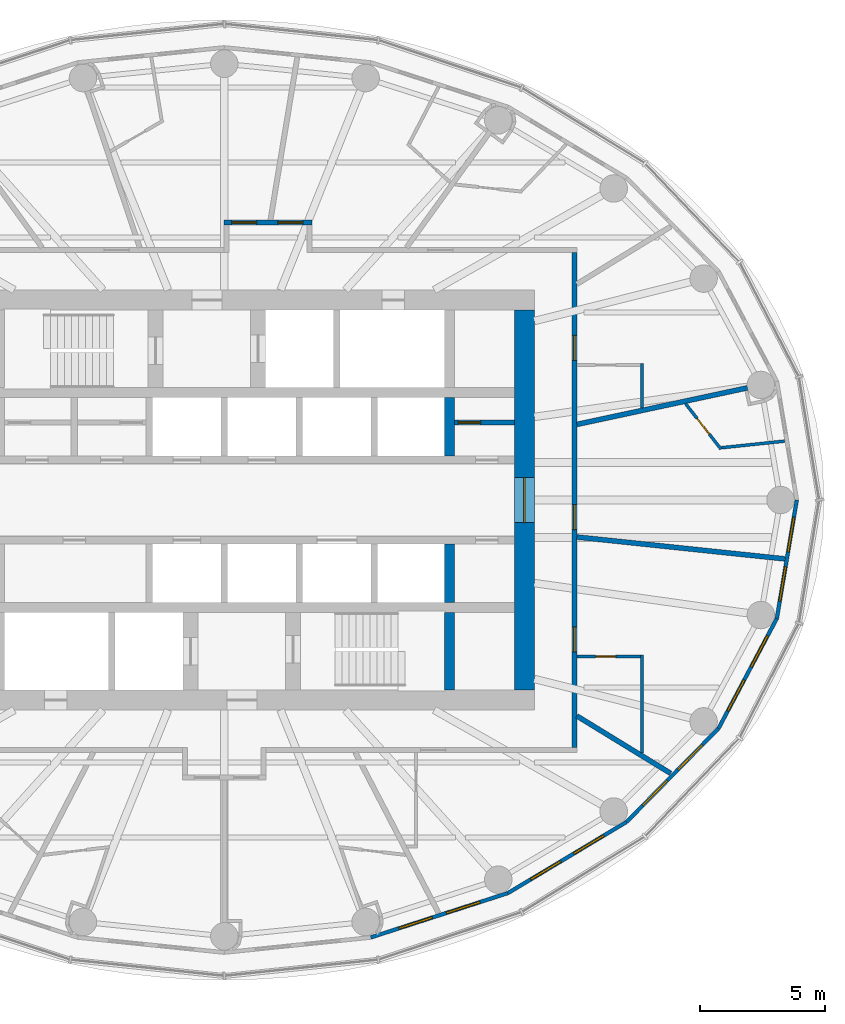
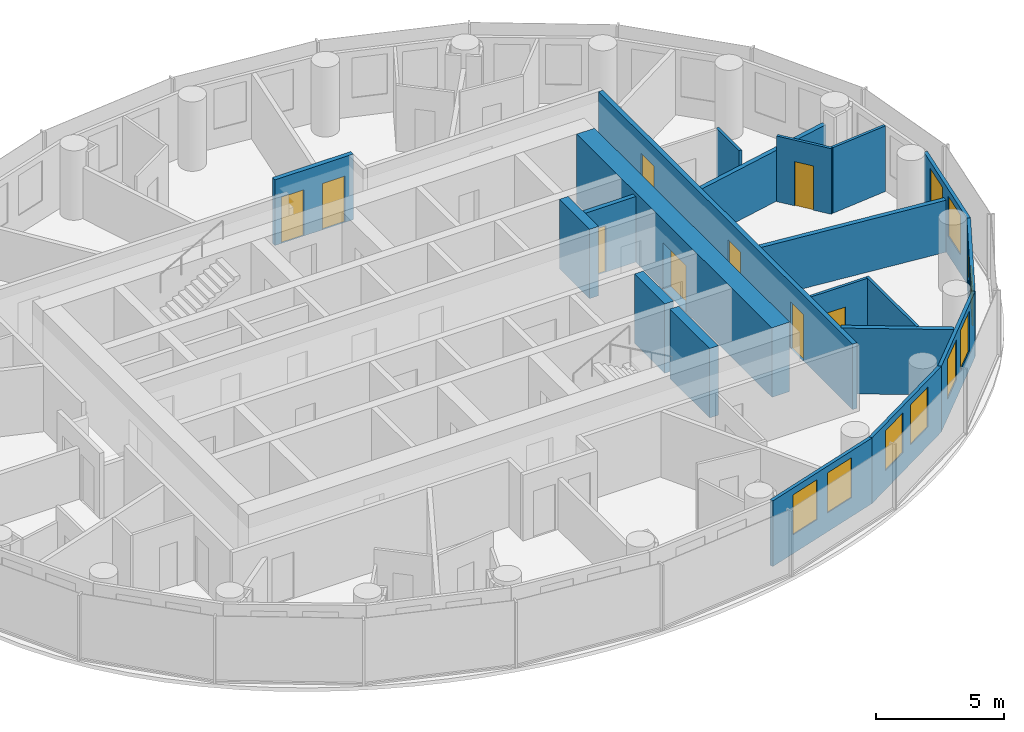
# One storey, part 10 of 13: 20 walls, 10 windows, 9 doors, 19 openings.
"""IFC4 building model written with IfcOpenShell, lengths in metres."""

from ifc_helpers import new_model, si_unit, direction, frame, frame_2d, origin, place, context, subcontext, project, spatial, rectangle, extrude, material, layer, layer_set, type_object, element, fill, save


model = new_model("IFC4")

# Units and contexts
model_context = context("Model", 3, precision=1e-05, world=origin(), true_north=direction((0.0, 1.0)))
body_context = subcontext(model_context, "Body", "Model", "MODEL_VIEW")
ifc_project = project(units=[si_unit("LENGTHUNIT", "METRE"), si_unit("AREAUNIT", "SQUARE_METRE"), si_unit("VOLUMEUNIT", "CUBIC_METRE"), si_unit("PLANEANGLEUNIT", "RADIAN"), si_unit("MASSUNIT", "GRAM", prefix="KILO")], contexts=[model_context])

# Site, building, storey
site_placement = place(None, origin())
site = spatial("IfcSite", under=ifc_project, at=site_placement, CompositionType="ELEMENT")
building_placement = place(site_placement, origin())
building = spatial("IfcBuilding", under=site, at=building_placement, Name="Hankou Lantern Tower", CompositionType="ELEMENT")
storey_placement = place(building_placement, frame((0.0, 0.0, 163.199951171875)))
storey = spatial("IfcBuildingStorey", under=building, at=storey_placement, Name="L43", CompositionType="ELEMENT", Elevation=163.199951171875)

# Wall, opening, door
ifc_material_1 = material(Name="Concrete C60", Category="concrete")
ifc_layer_1 = layer(ifc_material_1, 0.800048828125)
ifc_layer_set_1 = layer_set([ifc_layer_1], Name="Concrete C60")
wall_type_1 = type_object("IfcWallType", Name="CW2 CORE WALL 800", PredefinedType="SHEAR", material=ifc_layer_set_1)
wall_1_placement = place(storey_placement, frame((12.0, -7.60009765625, 0.0), z_axis=(0.0, 0.0, 1.0), x_axis=(0.0, 1.0, 0.0)))
wall_1 = element("IfcWall", 1, at=wall_1_placement, inside=storey, type_object=wall_type_1, Name="Core wall east L43", PredefinedType="SHEAR", context=body_context, shape_type="SweptSolid", body=[
    extrude(rectangle(XDim=15.2001953125, YDim=0.800048828125, at=frame_2d((7.60009765625, 0.0))), origin(), (0.0, 0.0, 1.0), 3.300048828125),
])
opening_1_placement = place(wall_1_placement, frame((6.699951171875, 0.0, 0.0)))
opening_1 = element("IfcOpeningElement", 2, at=opening_1_placement, cuts=wall_1, Name="Opening D6", PredefinedType="OPENING", context=body_context, shape_type="SweptSolid", body=[
    extrude(rectangle(XDim=1.800048828125, YDim=2.199951171875, at=frame_2d((0.89990234375, 1.10009765625))), frame((0.0, 0.409912109375, 0.0), z_axis=(0.0, -1.0, 0.0), x_axis=(1.0, 0.0, 0.0)), (0.0, 0.0, 1.0), 0.820068359375),
])
ifc_material_2 = material(Name="Steel door leaf", Category="steel")
door_type_1 = type_object("IfcDoorType", Name="D6 LIFT LOBBY DOOR 1800X2200", OperationType="DOUBLE_DOOR_DOUBLE_SWING", PredefinedType="DOOR", material=ifc_material_2)
door_1_placement = place(opening_1_placement, origin())
door_1 = element("IfcDoor", 3, at=door_1_placement, inside=storey, type_object=door_type_1, Name="Lift lobby east door", OperationType="DOUBLE_DOOR_DOUBLE_SWING", OverallHeight=2.199951171875, OverallWidth=1.800048828125, PredefinedType="DOOR", context=body_context, shape_type="SweptSolid", body=[
    extrude(rectangle(XDim=1.800048828125, YDim=2.199951171875, at=frame_2d((0.89990234375, 1.10009765625))), frame((0.0, 0.02490234375, 0.0), z_axis=(0.0, -1.0, 0.0), x_axis=(1.0, 0.0, 0.0)), (0.0, 0.0, 1.0), 0.050048828125),
])
fill(opening_1, door_1)

# Walls
ifc_material_3 = material(Name="Concrete C60", Category="concrete")
ifc_layer_2 = layer(ifc_material_3, 0.39990234375)
ifc_layer_set_2 = layer_set([ifc_layer_2], Name="Concrete C60")
wall_type_2 = type_object("IfcWallType", Name="CW4 CORE CROSS WALL 400", PredefinedType="SHEAR", material=ifc_layer_set_2)
for number, where, z_axis, x_axis, name in (
    (4, (9.0, 1.75, 0.0), (0.0, 0.0, 1.0), (0.0, 1.0, 0.0), "Core strip wall L43"),
    (5, (9.0, -4.10009765625, 0.0), (0.0, 0.0, 1.0), (0.0, 1.0, 0.0), "Core strip wall L43"),
):
    element("IfcWall", number, at=place(storey_placement, frame(where, z_axis=z_axis, x_axis=x_axis)), inside=storey, type_object=wall_type_2, Name=name, PredefinedType="SHEAR", context=body_context, shape_type="SweptSolid", body=[
        extrude(rectangle(XDim=2.35009765625, YDim=0.39990234375, at=frame_2d((1.175048828125, 0.0))), origin(), (0.0, 0.0, 1.0), 3.300048828125),
    ])
wall_2_placement = place(storey_placement, frame((9.0, -7.60009765625, 0.0), z_axis=(0.0, 0.0, 1.0), x_axis=(0.0, 1.0, 0.0)))
element("IfcWall", 6, at=wall_2_placement, inside=storey, type_object=wall_type_2, Name="Core strip wall L43", PredefinedType="SHEAR", context=body_context, shape_type="SweptSolid", body=[
    extrude(rectangle(XDim=3.10009765625, YDim=0.39990234375, at=frame_2d((1.550048828125, 0.0))), origin(), (0.0, 0.0, 1.0), 3.300048828125),
])

# Wall, openings, windows
ifc_material_4 = material(Name="Aluminium spandrel panel on steel studs", Category="steel")
ifc_layer_3 = layer(ifc_material_4, 0.14990234375)
ifc_layer_set_3 = layer_set([ifc_layer_3], Name="Aluminium spandrel panel on steel studs")
wall_type_3 = type_object("IfcWallType", Name="EW1 INNER SKIN WALL 150", PredefinedType="ELEMENTEDWALL", material=ifc_layer_set_3)
wall_3_placement = place(storey_placement, frame((5.8603515625, -17.497314453125, 0.0), z_axis=(0.0, 0.0, 1.0), x_axis=(0.951432482129, 0.307857486429, 0.0)))
wall_3 = element("IfcWall", 7, at=wall_3_placement, inside=storey, type_object=wall_type_3, Name="Inner skin R20-R21 L43", PredefinedType="ELEMENTEDWALL", context=body_context, shape_type="SweptSolid", body=[
    extrude(rectangle(XDim=5.76611328125, YDim=0.14990234375, at=frame_2d((2.883056640625, 0.0))), origin(), (0.0, 0.0, 1.0), 3.1201171875),
])
opening_2_placement = place(wall_3_placement, frame((1.18310546875, 0.0, 0.89990234375)))
opening_2 = element("IfcOpeningElement", 8, at=opening_2_placement, cuts=wall_3, Name="Opening W3", PredefinedType="OPENING", context=body_context, shape_type="SweptSolid", body=[
    extrude(rectangle(XDim=1.39990234375, YDim=1.89990234375, at=frame_2d((0.699951171875, 0.949951171875))), frame((0.0, 0.0849609375, 0.0), z_axis=(0.0, -1.0, 0.0), x_axis=(1.0, 0.0, 0.0)), (0.0, 0.0, 1.0), 0.169921875),
])
opening_3_placement = place(wall_3_placement, frame((3.18310546875, 0.0, 0.89990234375)))
opening_3 = element("IfcOpeningElement", 9, at=opening_3_placement, cuts=wall_3, Name="Opening W3", PredefinedType="OPENING", context=body_context, shape_type="SweptSolid", body=[
    extrude(rectangle(XDim=1.39990234375, YDim=1.89990234375, at=frame_2d((0.699951171875, 0.949951171875))), frame((0.0, 0.0849609375, 0.0), z_axis=(0.0, -1.0, 0.0), x_axis=(1.0, 0.0, 0.0)), (0.0, 0.0, 1.0), 0.169921875),
])
ifc_material_5 = material(Name="Aluminium framed double glazed window", Category="aluminium")
window_type = type_object("IfcWindowType", Name="W3 GUEST ROOM WINDOW 1400X1900", PartitioningType="DOUBLE_PANEL_VERTICAL", PredefinedType="WINDOW", material=ifc_material_5)
window_1_placement = place(opening_2_placement, origin())
window_1 = element("IfcWindow", 10, at=window_1_placement, inside=storey, type_object=window_type, Name="Window R20.1 L43", OverallHeight=1.89990234375, OverallWidth=1.39990234375, PartitioningType="SINGLE_PANEL", PredefinedType="WINDOW", context=body_context, shape_type="SweptSolid", body=[
    extrude(rectangle(XDim=1.39990234375, YDim=1.89990234375, at=frame_2d((0.699951171875, 0.949951171875))), frame((0.0, 0.030029296875, 0.0), z_axis=(0.0, -1.0, 0.0), x_axis=(1.0, 0.0, 0.0)), (0.0, 0.0, 1.0), 0.06005859375),
])
fill(opening_2, window_1)
window_2_placement = place(opening_3_placement, origin())
window_2 = element("IfcWindow", 11, at=window_2_placement, inside=storey, type_object=window_type, Name="Window R20.2 L43", OverallHeight=1.89990234375, OverallWidth=1.39990234375, PartitioningType="SINGLE_PANEL", PredefinedType="WINDOW", context=body_context, shape_type="SweptSolid", body=[
    extrude(rectangle(XDim=1.39990234375, YDim=1.89990234375, at=frame_2d((0.699951171875, 0.949951171875))), frame((0.0, 0.030029296875, 0.0), z_axis=(0.0, -1.0, 0.0), x_axis=(1.0, 0.0, 0.0)), (0.0, 0.0, 1.0), 0.06005859375),
])
fill(opening_3, window_2)

wall_4_placement = place(storey_placement, frame((11.346435546875, -15.72216796875, 0.0), z_axis=(0.0, 0.0, 1.0), x_axis=(0.857695199231, 0.514158482587, 0.0)))
wall_4 = element("IfcWall", 12, at=wall_4_placement, inside=storey, type_object=wall_type_3, Name="Inner skin R21-R22 L43", PredefinedType="ELEMENTEDWALL", context=body_context, shape_type="SweptSolid", body=[
    extrude(rectangle(XDim=5.5361328125, YDim=0.14990234375, at=frame_2d((2.76806640625, 0.0))), origin(), (0.0, 0.0, 1.0), 3.1201171875),
])
opening_4_placement = place(wall_4_placement, frame((1.068115234375, 0.0, 0.89990234375)))
opening_4 = element("IfcOpeningElement", 13, at=opening_4_placement, cuts=wall_4, Name="Opening W3", PredefinedType="OPENING", context=body_context, shape_type="SweptSolid", body=[
    extrude(rectangle(XDim=1.39990234375, YDim=1.89990234375, at=frame_2d((0.699951171875, 0.949951171875))), frame((0.0, 0.0849609375, 0.0), z_axis=(0.0, -1.0, 0.0), x_axis=(1.0, 0.0, 0.0)), (0.0, 0.0, 1.0), 0.169921875),
])
opening_5_placement = place(wall_4_placement, frame((3.068115234375, 0.0, 0.89990234375)))
opening_5 = element("IfcOpeningElement", 14, at=opening_5_placement, cuts=wall_4, Name="Opening W3", PredefinedType="OPENING", context=body_context, shape_type="SweptSolid", body=[
    extrude(rectangle(XDim=1.39990234375, YDim=1.89990234375, at=frame_2d((0.699951171875, 0.949951171875))), frame((0.0, 0.0849609375, 0.0), z_axis=(0.0, -1.0, 0.0), x_axis=(1.0, 0.0, 0.0)), (0.0, 0.0, 1.0), 0.169921875),
])
window_3_placement = place(opening_4_placement, origin())
window_3 = element("IfcWindow", 15, at=window_3_placement, inside=storey, type_object=window_type, Name="Window R21.1 L43", OverallHeight=1.89990234375, OverallWidth=1.39990234375, PartitioningType="SINGLE_PANEL", PredefinedType="WINDOW", context=body_context, shape_type="SweptSolid", body=[
    extrude(rectangle(XDim=1.39990234375, YDim=1.89990234375, at=frame_2d((0.699951171875, 0.949951171875))), frame((0.0, 0.030029296875, 0.0), z_axis=(0.0, -1.0, 0.0), x_axis=(1.0, 0.0, 0.0)), (0.0, 0.0, 1.0), 0.06005859375),
])
fill(opening_4, window_3)
window_4_placement = place(opening_5_placement, origin())
window_4 = element("IfcWindow", 16, at=window_4_placement, inside=storey, type_object=window_type, Name="Window R21.2 L43", OverallHeight=1.89990234375, OverallWidth=1.39990234375, PartitioningType="SINGLE_PANEL", PredefinedType="WINDOW", context=body_context, shape_type="SweptSolid", body=[
    extrude(rectangle(XDim=1.39990234375, YDim=1.89990234375, at=frame_2d((0.699951171875, 0.949951171875))), frame((0.0, 0.030029296875, 0.0), z_axis=(0.0, -1.0, 0.0), x_axis=(1.0, 0.0, 0.0)), (0.0, 0.0, 1.0), 0.06005859375),
])
fill(opening_5, window_4)

wall_5_placement = place(storey_placement, frame((16.0947265625, -12.875732421875, 0.0), z_axis=(0.0, 0.0, 1.0), x_axis=(0.700727467776, 0.71342905457, 0.0)))
wall_5 = element("IfcWall", 17, at=wall_5_placement, inside=storey, type_object=wall_type_3, Name="Inner skin R22-R23 L43", PredefinedType="ELEMENTEDWALL", context=body_context, shape_type="SweptSolid", body=[
    extrude(rectangle(XDim=5.247314453125, YDim=0.14990234375, at=frame_2d((2.62353515625, 0.0))), origin(), (0.0, 0.0, 1.0), 3.1201171875),
])
opening_6_placement = place(wall_5_placement, frame((0.923583984375, 0.0, 0.89990234375)))
opening_6 = element("IfcOpeningElement", 18, at=opening_6_placement, cuts=wall_5, Name="Opening W3", PredefinedType="OPENING", context=body_context, shape_type="SweptSolid", body=[
    extrude(rectangle(XDim=1.39990234375, YDim=1.89990234375, at=frame_2d((0.699951171875, 0.949951171875))), frame((0.0, 0.0849609375, 0.0), z_axis=(0.0, -1.0, 0.0), x_axis=(1.0, 0.0, 0.0)), (0.0, 0.0, 1.0), 0.169921875),
])
opening_7_placement = place(wall_5_placement, frame((2.923583984375, 0.0, 0.89990234375)))
opening_7 = element("IfcOpeningElement", 19, at=opening_7_placement, cuts=wall_5, Name="Opening W3", PredefinedType="OPENING", context=body_context, shape_type="SweptSolid", body=[
    extrude(rectangle(XDim=1.39990234375, YDim=1.89990234375, at=frame_2d((0.699951171875, 0.949951171875))), frame((0.0, 0.0849609375, 0.0), z_axis=(0.0, -1.0, 0.0), x_axis=(1.0, 0.0, 0.0)), (0.0, 0.0, 1.0), 0.169921875),
])
window_5_placement = place(opening_6_placement, origin())
window_5 = element("IfcWindow", 20, at=window_5_placement, inside=storey, type_object=window_type, Name="Window R22.1 L43", OverallHeight=1.89990234375, OverallWidth=1.39990234375, PartitioningType="SINGLE_PANEL", PredefinedType="WINDOW", context=body_context, shape_type="SweptSolid", body=[
    extrude(rectangle(XDim=1.39990234375, YDim=1.89990234375, at=frame_2d((0.699951171875, 0.949951171875))), frame((0.0, 0.030029296875, 0.0), z_axis=(0.0, -1.0, 0.0), x_axis=(1.0, 0.0, 0.0)), (0.0, 0.0, 1.0), 0.06005859375),
])
fill(opening_6, window_5)
window_6_placement = place(opening_7_placement, origin())
window_6 = element("IfcWindow", 21, at=window_6_placement, inside=storey, type_object=window_type, Name="Window R22.2 L43", OverallHeight=1.89990234375, OverallWidth=1.39990234375, PartitioningType="SINGLE_PANEL", PredefinedType="WINDOW", context=body_context, shape_type="SweptSolid", body=[
    extrude(rectangle(XDim=1.39990234375, YDim=1.89990234375, at=frame_2d((0.699951171875, 0.949951171875))), frame((0.0, 0.030029296875, 0.0), z_axis=(0.0, -1.0, 0.0), x_axis=(1.0, 0.0, 0.0)), (0.0, 0.0, 1.0), 0.06005859375),
])
fill(opening_7, window_6)

wall_6_placement = place(storey_placement, frame((19.771728515625, -9.132080078125, 0.0), z_axis=(0.0, 0.0, 1.0), x_axis=(0.468428906714, 0.883501193748, 0.0)))
wall_6 = element("IfcWall", 22, at=wall_6_placement, inside=storey, type_object=wall_type_3, Name="Inner skin R23-R24 L43", PredefinedType="ELEMENTEDWALL", context=body_context, shape_type="SweptSolid", body=[
    extrude(rectangle(XDim=4.9736328125, YDim=0.14990234375, at=frame_2d((2.48681640625, 0.0))), origin(), (0.0, 0.0, 1.0), 3.1201171875),
])
opening_8_placement = place(wall_6_placement, frame((0.786865234375, 0.0, 0.89990234375)))
opening_8 = element("IfcOpeningElement", 23, at=opening_8_placement, cuts=wall_6, Name="Opening W3", PredefinedType="OPENING", context=body_context, shape_type="SweptSolid", body=[
    extrude(rectangle(XDim=1.39990234375, YDim=1.89990234375, at=frame_2d((0.699951171875, 0.949951171875))), frame((0.0, 0.0849609375, 0.0), z_axis=(0.0, -1.0, 0.0), x_axis=(1.0, 0.0, 0.0)), (0.0, 0.0, 1.0), 0.169921875),
])
opening_9_placement = place(wall_6_placement, frame((2.786865234375, 0.0, 0.89990234375)))
opening_9 = element("IfcOpeningElement", 24, at=opening_9_placement, cuts=wall_6, Name="Opening W3", PredefinedType="OPENING", context=body_context, shape_type="SweptSolid", body=[
    extrude(rectangle(XDim=1.39990234375, YDim=1.89990234375, at=frame_2d((0.699951171875, 0.949951171875))), frame((0.0, 0.0849609375, 0.0), z_axis=(0.0, -1.0, 0.0), x_axis=(1.0, 0.0, 0.0)), (0.0, 0.0, 1.0), 0.169921875),
])
window_7_placement = place(opening_8_placement, origin())
window_7 = element("IfcWindow", 25, at=window_7_placement, inside=storey, type_object=window_type, Name="Window R23.1 L43", OverallHeight=1.89990234375, OverallWidth=1.39990234375, PartitioningType="SINGLE_PANEL", PredefinedType="WINDOW", context=body_context, shape_type="SweptSolid", body=[
    extrude(rectangle(XDim=1.39990234375, YDim=1.89990234375, at=frame_2d((0.699951171875, 0.949951171875))), frame((0.0, 0.030029296875, 0.0), z_axis=(0.0, -1.0, 0.0), x_axis=(1.0, 0.0, 0.0)), (0.0, 0.0, 1.0), 0.06005859375),
])
fill(opening_8, window_7)
window_8_placement = place(opening_9_placement, origin())
window_8 = element("IfcWindow", 26, at=window_8_placement, inside=storey, type_object=window_type, Name="Window R23.2 L43", OverallHeight=1.89990234375, OverallWidth=1.39990234375, PartitioningType="SINGLE_PANEL", PredefinedType="WINDOW", context=body_context, shape_type="SweptSolid", body=[
    extrude(rectangle(XDim=1.39990234375, YDim=1.89990234375, at=frame_2d((0.699951171875, 0.949951171875))), frame((0.0, 0.030029296875, 0.0), z_axis=(0.0, -1.0, 0.0), x_axis=(1.0, 0.0, 0.0)), (0.0, 0.0, 1.0), 0.06005859375),
])
fill(opening_9, window_8)

wall_7_placement = place(storey_placement, frame((22.1015625, -4.73779296875, 0.0), z_axis=(0.0, 0.0, 1.0), x_axis=(0.166162111254, 0.986098449843, 0.0)))
wall_7 = element("IfcWall", 27, at=wall_7_placement, inside=storey, type_object=wall_type_3, Name="Inner skin R24-R01 L43", PredefinedType="ELEMENTEDWALL", context=body_context, shape_type="SweptSolid", body=[
    extrude(rectangle(XDim=4.8046875, YDim=0.14990234375, at=frame_2d((2.40234375, 0.0))), origin(), (0.0, 0.0, 1.0), 3.1201171875),
])
opening_10_placement = place(wall_7_placement, frame((0.7021484375, 0.0, 0.89990234375)))
opening_10 = element("IfcOpeningElement", 28, at=opening_10_placement, cuts=wall_7, Name="Opening W3", PredefinedType="OPENING", context=body_context, shape_type="SweptSolid", body=[
    extrude(rectangle(XDim=1.39990234375, YDim=1.89990234375, at=frame_2d((0.699951171875, 0.949951171875))), frame((0.0, 0.0849609375, 0.0), z_axis=(0.0, -1.0, 0.0), x_axis=(1.0, 0.0, 0.0)), (0.0, 0.0, 1.0), 0.169921875),
])
opening_11_placement = place(wall_7_placement, frame((2.7021484375, 0.0, 0.89990234375)))
opening_11 = element("IfcOpeningElement", 29, at=opening_11_placement, cuts=wall_7, Name="Opening W3", PredefinedType="OPENING", context=body_context, shape_type="SweptSolid", body=[
    extrude(rectangle(XDim=1.39990234375, YDim=1.89990234375, at=frame_2d((0.699951171875, 0.949951171875))), frame((0.0, 0.0849609375, 0.0), z_axis=(0.0, -1.0, 0.0), x_axis=(1.0, 0.0, 0.0)), (0.0, 0.0, 1.0), 0.169921875),
])
window_9_placement = place(opening_10_placement, origin())
window_9 = element("IfcWindow", 30, at=window_9_placement, inside=storey, type_object=window_type, Name="Window R24.1 L43", OverallHeight=1.89990234375, OverallWidth=1.39990234375, PartitioningType="SINGLE_PANEL", PredefinedType="WINDOW", context=body_context, shape_type="SweptSolid", body=[
    extrude(rectangle(XDim=1.39990234375, YDim=1.89990234375, at=frame_2d((0.699951171875, 0.949951171875))), frame((0.0, 0.030029296875, 0.0), z_axis=(0.0, -1.0, 0.0), x_axis=(1.0, 0.0, 0.0)), (0.0, 0.0, 1.0), 0.06005859375),
])
fill(opening_10, window_9)
window_10_placement = place(opening_11_placement, origin())
window_10 = element("IfcWindow", 31, at=window_10_placement, inside=storey, type_object=window_type, Name="Window R24.2 L43", OverallHeight=1.89990234375, OverallWidth=1.39990234375, PartitioningType="SINGLE_PANEL", PredefinedType="WINDOW", context=body_context, shape_type="SweptSolid", body=[
    extrude(rectangle(XDim=1.39990234375, YDim=1.89990234375, at=frame_2d((0.699951171875, 0.949951171875))), frame((0.0, 0.030029296875, 0.0), z_axis=(0.0, -1.0, 0.0), x_axis=(1.0, 0.0, 0.0)), (0.0, 0.0, 1.0), 0.06005859375),
])
fill(opening_11, window_10)

# Walls
ifc_material_6 = material(Name="Masonry lightweight concrete block", Category="masonry")
ifc_layer_4 = layer(ifc_material_6, 0.199951171875)
ifc_layer_set_4 = layer_set([ifc_layer_4], Name="Masonry lightweight concrete block")
wall_type_4 = type_object("IfcWallType", Name="IW1 GUEST ROOM PARTY WALL 200", PredefinedType="PARTITIONING", material=ifc_layer_set_4)
wall_8_placement = place(storey_placement, frame((14.10009765625, 3.0224609375, 0.0), z_axis=(0.0, 0.0, 1.0), x_axis=(0.977790639684, 0.209584028367, 0.0)))
element("IfcWall", 32, at=wall_8_placement, inside=storey, type_object=wall_type_4, Name="Party wall R02", PredefinedType="PARTITIONING", context=body_context, shape_type="SweptSolid", body=[
    extrude(rectangle(XDim=6.97998046875, YDim=0.199951171875, at=frame_2d((3.489990234375, 0.0))), origin(), (0.0, 0.0, 1.0), 2.420166015625),
])
wall_9_placement = place(storey_placement, frame((14.10009765625, -8.63623046875, 0.0), z_axis=(0.0, 0.0, 1.0), x_axis=(0.852731884196, -0.522348862041, 0.0)))
element("IfcWall", 33, at=wall_9_placement, inside=storey, type_object=wall_type_4, Name="Party wall R22-R23", PredefinedType="PARTITIONING", context=body_context, shape_type="SweptSolid", body=[
    extrude(rectangle(XDim=4.404296875, YDim=0.199951171875, at=frame_2d((2.2021484375, 0.0))), origin(), (0.0, 0.0, 1.0), 3.1201171875),
])
wall_10_placement = place(storey_placement, frame((14.10009765625, -1.4814453125, 0.0), z_axis=(0.0, 0.0, 1.0), x_axis=(0.994524794819, -0.104500873159, 0.0)))
element("IfcWall", 34, at=wall_10_placement, inside=storey, type_object=wall_type_4, Name="Party wall R24-R01", PredefinedType="PARTITIONING", context=body_context, shape_type="SweptSolid", body=[
    extrude(rectangle(XDim=8.361572265625, YDim=0.199951171875, at=frame_2d((4.1806640625, 0.0))), origin(), (0.0, 0.0, 1.0), 2.469970703125),
])

# Wall, openings, doors
ifc_material_7 = material(Name="Masonry lightweight concrete block", Category="masonry")
ifc_layer_5 = layer(ifc_material_7, 0.199951171875)
ifc_layer_set_5 = layer_set([ifc_layer_5], Name="Masonry lightweight concrete block")
wall_type_5 = type_object("IfcWallType", Name="IW2 CORRIDOR WALL 200", PredefinedType="PARTITIONING", material=ifc_layer_set_5)
wall_11_placement = place(storey_placement, frame((14.0, -9.89990234375, 0.0), z_axis=(0.0, 0.0, 1.0), x_axis=(0.0, 1.0, 0.0)))
wall_11 = element("IfcWall", 35, at=wall_11_placement, inside=storey, type_object=wall_type_5, Name="Corridor wall east", PredefinedType="PARTITIONING", context=body_context, shape_type="SweptSolid", body=[
    extrude(rectangle(XDim=19.7998046875, YDim=0.199951171875, at=frame_2d((9.89990234375, 0.0))), origin(), (0.0, 0.0, 1.0), 3.1201171875),
])
opening_12_placement = place(wall_11_placement, frame((3.82373046875, 0.0, 0.0)))
opening_12 = element("IfcOpeningElement", 36, at=opening_12_placement, cuts=wall_11, Name="Opening D2", PredefinedType="OPENING", context=body_context, shape_type="SweptSolid", body=[
    extrude(rectangle(XDim=1.0, YDim=2.199951171875, at=frame_2d((0.5, 1.10009765625))), frame((0.0, 0.10986328125, 0.0), z_axis=(0.0, -1.0, 0.0), x_axis=(1.0, 0.0, 0.0)), (0.0, 0.0, 1.0), 0.219970703125),
])
opening_13_placement = place(wall_11_placement, frame((8.718505859375, 0.0, 0.0)))
opening_13 = element("IfcOpeningElement", 37, at=opening_13_placement, cuts=wall_11, Name="Opening D1", PredefinedType="OPENING", context=body_context, shape_type="SweptSolid", body=[
    extrude(rectangle(XDim=1.0, YDim=2.199951171875, at=frame_2d((0.5, 1.10009765625))), frame((0.0, 0.10986328125, 0.0), z_axis=(0.0, -1.0, 0.0), x_axis=(1.0, 0.0, 0.0)), (0.0, 0.0, 1.0), 0.219970703125),
])
opening_14_placement = place(wall_11_placement, frame((15.482421875, 0.0, 0.0)))
opening_14 = element("IfcOpeningElement", 38, at=opening_14_placement, cuts=wall_11, Name="Opening D1", PredefinedType="OPENING", context=body_context, shape_type="SweptSolid", body=[
    extrude(rectangle(XDim=1.0, YDim=2.199951171875, at=frame_2d((0.5, 1.10009765625))), frame((0.0, 0.10986328125, 0.0), z_axis=(0.0, -1.0, 0.0), x_axis=(1.0, 0.0, 0.0)), (0.0, 0.0, 1.0), 0.219970703125),
])
ifc_material_8 = material(Name="Steel door leaf", Category="steel")
door_type_2 = type_object("IfcDoorType", Name="D1 GUEST ROOM DOOR 1000X2200", OperationType="SINGLE_SWING_LEFT", PredefinedType="DOOR", material=ifc_material_8)
door_2_placement = place(opening_13_placement, origin())
door_2 = element("IfcDoor", 39, at=door_2_placement, inside=storey, type_object=door_type_2, Name="Guest room door 4311", OperationType="SINGLE_SWING_LEFT", OverallHeight=2.199951171875, OverallWidth=1.0, PredefinedType="DOOR", context=body_context, shape_type="SweptSolid", body=[
    extrude(rectangle(XDim=1.0, YDim=2.199951171875, at=frame_2d((0.5, 1.10009765625))), frame((0.0, 0.02490234375, 0.0), z_axis=(0.0, -1.0, 0.0), x_axis=(1.0, 0.0, 0.0)), (0.0, 0.0, 1.0), 0.050048828125),
])
fill(opening_13, door_2)
door_3_placement = place(opening_14_placement, origin())
door_3 = element("IfcDoor", 40, at=door_3_placement, inside=storey, type_object=door_type_2, Name="Guest room door 4312", OperationType="SINGLE_SWING_RIGHT", OverallHeight=2.199951171875, OverallWidth=1.0, PredefinedType="DOOR", context=body_context, shape_type="SweptSolid", body=[
    extrude(rectangle(XDim=1.0, YDim=2.199951171875, at=frame_2d((0.5, 1.10009765625))), frame((0.0, 0.02490234375, 0.0), z_axis=(0.0, -1.0, 0.0), x_axis=(1.0, 0.0, 0.0)), (0.0, 0.0, 1.0), 0.050048828125),
])
fill(opening_14, door_3)
ifc_material_9 = material(Name="Steel door leaf", Category="steel")
door_type_3 = type_object("IfcDoorType", Name="D2 SUITE DOOR 1000X2200", OperationType="SINGLE_SWING_LEFT", PredefinedType="DOOR", material=ifc_material_9)
door_4_placement = place(opening_12_placement, origin())
door_4 = element("IfcDoor", 41, at=door_4_placement, inside=storey, type_object=door_type_3, Name="Suite door 4310", OperationType="SINGLE_SWING_LEFT", OverallHeight=2.199951171875, OverallWidth=1.0, PredefinedType="DOOR", context=body_context, shape_type="SweptSolid", body=[
    extrude(rectangle(XDim=1.0, YDim=2.199951171875, at=frame_2d((0.5, 1.10009765625))), frame((0.0, 0.02490234375, 0.0), z_axis=(0.0, -1.0, 0.0), x_axis=(1.0, 0.0, 0.0)), (0.0, 0.0, 1.0), 0.050048828125),
])
fill(opening_12, door_4)

wall_12_placement = place(storey_placement, frame((-0.005859375, 11.10009765625, 0.0), z_axis=(0.0, 0.0, 1.0), x_axis=(1.0, 0.0, 0.0)))
wall_12 = element("IfcWall", 42, at=wall_12_placement, inside=storey, type_object=wall_type_5, Name="Corridor alcove wall 4314-4315 back", PredefinedType="PARTITIONING", context=body_context, shape_type="SweptSolid", body=[
    extrude(rectangle(XDim=3.52392578125, YDim=0.199951171875, at=frame_2d((1.761962890625, 0.0))), origin(), (0.0, 0.0, 1.0), 3.1201171875),
])
opening_15_placement = place(wall_12_placement, frame((2.14501953125, 0.0, 0.0)))
opening_15 = element("IfcOpeningElement", 43, at=opening_15_placement, cuts=wall_12, Name="Opening D1", PredefinedType="OPENING", context=body_context, shape_type="SweptSolid", body=[
    extrude(rectangle(XDim=1.0, YDim=2.199951171875, at=frame_2d((0.5, 1.10009765625))), frame((0.0, 0.10986328125, 0.0), z_axis=(0.0, -1.0, 0.0), x_axis=(1.0, 0.0, 0.0)), (0.0, 0.0, 1.0), 0.219970703125),
])
opening_16_placement = place(wall_12_placement, frame((0.300048828125, 0.0, 0.0)))
opening_16 = element("IfcOpeningElement", 44, at=opening_16_placement, cuts=wall_12, Name="Opening D1", PredefinedType="OPENING", context=body_context, shape_type="SweptSolid", body=[
    extrude(rectangle(XDim=1.0, YDim=2.199951171875, at=frame_2d((0.5, 1.10009765625))), frame((0.0, 0.10986328125, 0.0), z_axis=(0.0, -1.0, 0.0), x_axis=(1.0, 0.0, 0.0)), (0.0, 0.0, 1.0), 0.219970703125),
])
door_5_placement = place(opening_15_placement, origin())
door_5 = element("IfcDoor", 45, at=door_5_placement, inside=storey, type_object=door_type_2, Name="Guest room door 4314", OperationType="SINGLE_SWING_LEFT", OverallHeight=2.199951171875, OverallWidth=1.0, PredefinedType="DOOR", context=body_context, shape_type="SweptSolid", body=[
    extrude(rectangle(XDim=1.0, YDim=2.199951171875, at=frame_2d((0.5, 1.10009765625))), frame((0.0, 0.02490234375, 0.0), z_axis=(0.0, -1.0, 0.0), x_axis=(1.0, 0.0, 0.0)), (0.0, 0.0, 1.0), 0.050048828125),
])
fill(opening_15, door_5)
door_6_placement = place(opening_16_placement, origin())
door_6 = element("IfcDoor", 46, at=door_6_placement, inside=storey, type_object=door_type_2, Name="Guest room door 4315", OperationType="SINGLE_SWING_RIGHT", OverallHeight=2.199951171875, OverallWidth=1.0, PredefinedType="DOOR", context=body_context, shape_type="SweptSolid", body=[
    extrude(rectangle(XDim=1.0, YDim=2.199951171875, at=frame_2d((0.5, 1.10009765625))), frame((0.0, 0.02490234375, 0.0), z_axis=(0.0, -1.0, 0.0), x_axis=(1.0, 0.0, 0.0)), (0.0, 0.0, 1.0), 0.050048828125),
])
fill(opening_16, door_6)

# Wall
ifc_material_10 = material(Name="Masonry lightweight concrete block", Category="masonry")
ifc_layer_6 = layer(ifc_material_10, 0.1201171875)
ifc_layer_set_6 = layer_set([ifc_layer_6], Name="Masonry lightweight concrete block")
wall_type_6 = type_object("IfcWallType", Name="IW3 BATHROOM WALL 120", PredefinedType="PARTITIONING", material=ifc_layer_set_6)
wall_13_placement = place(storey_placement, frame((16.699951171875, -10.12890625, 0.0), z_axis=(0.0, 0.0, 1.0), x_axis=(0.0, 1.0, 0.0)))
element("IfcWall", 47, at=wall_13_placement, inside=storey, type_object=wall_type_6, Name="Box wall 4310 1", PredefinedType="PARTITIONING", context=body_context, shape_type="SweptSolid", body=[
    extrude(rectangle(XDim=3.9326171875, YDim=0.1201171875, at=frame_2d((1.96630859375, 0.0))), origin(), (0.0, 0.0, 1.0), 3.1201171875),
])

# Wall, opening, door
wall_14_placement = place(storey_placement, frame((14.10009765625, -6.25634765625, 0.0), z_axis=(0.0, 0.0, 1.0), x_axis=(1.0, 0.0, 0.0)))
wall_14 = element("IfcWall", 48, at=wall_14_placement, inside=storey, type_object=wall_type_6, Name="Box wall 4310 1", PredefinedType="PARTITIONING", context=body_context, shape_type="SweptSolid", body=[
    extrude(rectangle(XDim=2.539794921875, YDim=0.1201171875, at=frame_2d((1.27001953125, 0.0))), origin(), (0.0, 0.0, 1.0), 3.1201171875),
])
opening_17_placement = place(wall_14_placement, frame((0.75, 0.0, 0.0)))
opening_17 = element("IfcOpeningElement", 49, at=opening_17_placement, cuts=wall_14, Name="Opening D3", PredefinedType="OPENING", context=body_context, shape_type="SweptSolid", body=[
    extrude(rectangle(XDim=0.800048828125, YDim=2.10009765625, at=frame_2d((0.39990234375, 1.050048828125))), frame((0.0, 0.070068359375, 0.0), z_axis=(0.0, -1.0, 0.0), x_axis=(1.0, 0.0, 0.0)), (0.0, 0.0, 1.0), 0.14013671875),
])
ifc_material_11 = material(Name="Timber door leaf", Category="wood")
door_type_4 = type_object("IfcDoorType", Name="D3 BATHROOM DOOR 800X2100", OperationType="SINGLE_SWING_LEFT", PredefinedType="DOOR", material=ifc_material_11)
door_7_placement = place(opening_17_placement, origin())
door_7 = element("IfcDoor", 50, at=door_7_placement, inside=storey, type_object=door_type_4, Name="Junior suite 4310 bathroom door", OperationType="SINGLE_SWING_LEFT", OverallHeight=2.10009765625, OverallWidth=0.800048828125, PredefinedType="DOOR", context=body_context, shape_type="SweptSolid", body=[
    extrude(rectangle(XDim=0.800048828125, YDim=2.10009765625, at=frame_2d((0.39990234375, 1.050048828125))), frame((0.0, 0.02490234375, 0.0), z_axis=(0.0, -1.0, 0.0), x_axis=(1.0, 0.0, 0.0)), (0.0, 0.0, 1.0), 0.050048828125),
])
fill(opening_17, door_7)

wall_15_placement = place(storey_placement, frame((18.450927734375, 3.852783203125, 0.0), z_axis=(0.0, 0.0, 1.0), x_axis=(0.614703538382, -0.788758239197, 0.0)))
wall_15 = element("IfcWall", 51, at=wall_15_placement, inside=storey, type_object=wall_type_6, Name="Box wall 4311 1", PredefinedType="PARTITIONING", context=body_context, shape_type="SweptSolid", body=[
    extrude(rectangle(XDim=2.30322265625, YDim=0.1201171875, at=frame_2d((1.151611328125, 0.0))), origin(), (0.0, 0.0, 1.0), 3.1201171875),
])
opening_18_placement = place(wall_15_placement, frame((0.751708984375, 0.0, 0.0)))
opening_18 = element("IfcOpeningElement", 52, at=opening_18_placement, cuts=wall_15, Name="Opening D3", PredefinedType="OPENING", context=body_context, shape_type="SweptSolid", body=[
    extrude(rectangle(XDim=0.800048828125, YDim=2.10009765625, at=frame_2d((0.39990234375, 1.050048828125))), frame((0.0, 0.070068359375, 0.0), z_axis=(0.0, -1.0, 0.0), x_axis=(1.0, 0.0, 0.0)), (0.0, 0.0, 1.0), 0.14013671875),
])
door_8_placement = place(opening_18_placement, origin())
door_8 = element("IfcDoor", 53, at=door_8_placement, inside=storey, type_object=door_type_4, Name="En-suite bathroom 4311 door", OperationType="SINGLE_SWING_LEFT", OverallHeight=2.10009765625, OverallWidth=0.800048828125, PredefinedType="DOOR", context=body_context, shape_type="SweptSolid", body=[
    extrude(rectangle(XDim=0.800048828125, YDim=2.10009765625, at=frame_2d((0.39990234375, 1.050048828125))), frame((0.0, 0.02490234375, 0.0), z_axis=(0.0, -1.0, 0.0), x_axis=(1.0, 0.0, 0.0)), (0.0, 0.0, 1.0), 0.050048828125),
])
fill(opening_18, door_8)

# Walls
wall_16_placement = place(storey_placement, frame((19.8896484375, 2.08984375, 0.0), z_axis=(0.0, 0.0, 1.0), x_axis=(0.994527025269, 0.104479644, 0.0)))
element("IfcWall", 54, at=wall_16_placement, inside=storey, type_object=wall_type_6, Name="Box wall 4311 2", PredefinedType="PARTITIONING", context=body_context, shape_type="SweptSolid", body=[
    extrude(rectangle(XDim=2.5400390625, YDim=0.1201171875, at=frame_2d((1.27001953125, 0.0))), origin(), (0.0, 0.0, 1.0), 3.1201171875),
])
wall_17_placement = place(storey_placement, frame((16.699951171875, 3.6796875, 0.0), z_axis=(0.0, 0.0, 1.0), x_axis=(0.0, 1.0, 0.0)))
element("IfcWall", 55, at=wall_17_placement, inside=storey, type_object=wall_type_6, Name="Box wall 4312 1", PredefinedType="PARTITIONING", context=body_context, shape_type="SweptSolid", body=[
    extrude(rectangle(XDim=1.78271484375, YDim=0.1201171875, at=frame_2d((0.891357421875, 0.0))), origin(), (0.0, 0.0, 1.0), 3.1201171875),
])

# Wall, opening, door
ifc_material_12 = material(Name="Masonry lightweight concrete block", Category="masonry")
ifc_layer_7 = layer(ifc_material_12, 0.199951171875)
ifc_layer_set_7 = layer_set([ifc_layer_7], Name="Masonry lightweight concrete block")
wall_type_7 = type_object("IfcWallType", Name="IW8 PARTITION 200", PredefinedType="PARTITIONING", material=ifc_layer_set_7)
wall_18_placement = place(storey_placement, frame((9.199951171875, 3.10009765625, 0.0), z_axis=(0.0, 0.0, 1.0), x_axis=(1.0, 0.0, 0.0)))
wall_18 = element("IfcWall", 56, at=wall_18_placement, inside=storey, type_object=wall_type_7, Name="Partition cleaner's store", PredefinedType="PARTITIONING", context=body_context, shape_type="SweptSolid", body=[
    extrude(rectangle(XDim=2.400146484375, YDim=0.199951171875, at=frame_2d((1.2001953125, 0.0))), origin(), (0.0, 0.0, 1.0), 3.1201171875),
])
opening_19_placement = place(wall_18_placement, frame((0.14990234375, 0.0, 0.0)))
opening_19 = element("IfcOpeningElement", 57, at=opening_19_placement, cuts=wall_18, Name="Opening D12", PredefinedType="OPENING", context=body_context, shape_type="SweptSolid", body=[
    extrude(rectangle(XDim=0.89990234375, YDim=2.199951171875, at=frame_2d((0.449951171875, 1.10009765625))), frame((0.0, 0.10986328125, 0.0), z_axis=(0.0, -1.0, 0.0), x_axis=(1.0, 0.0, 0.0)), (0.0, 0.0, 1.0), 0.219970703125),
])
ifc_material_13 = material(Name="Steel door leaf", Category="steel")
door_type_5 = type_object("IfcDoorType", Name="D12 STORE DOOR 900X2200", OperationType="SINGLE_SWING_LEFT", PredefinedType="DOOR", material=ifc_material_13)
door_9_placement = place(opening_19_placement, origin())
door_9 = element("IfcDoor", 58, at=door_9_placement, inside=storey, type_object=door_type_5, Name="Cleaning materials cupboard door", OperationType="SINGLE_SWING_LEFT", OverallHeight=2.199951171875, OverallWidth=0.89990234375, PredefinedType="DOOR", context=body_context, shape_type="SweptSolid", body=[
    extrude(rectangle(XDim=0.89990234375, YDim=2.199951171875, at=frame_2d((0.449951171875, 1.10009765625))), frame((0.0, 0.02490234375, 0.0), z_axis=(0.0, -1.0, 0.0), x_axis=(1.0, 0.0, 0.0)), (0.0, 0.0, 1.0), 0.050048828125),
])
fill(opening_19, door_9)

save(model, "model.ifc")
